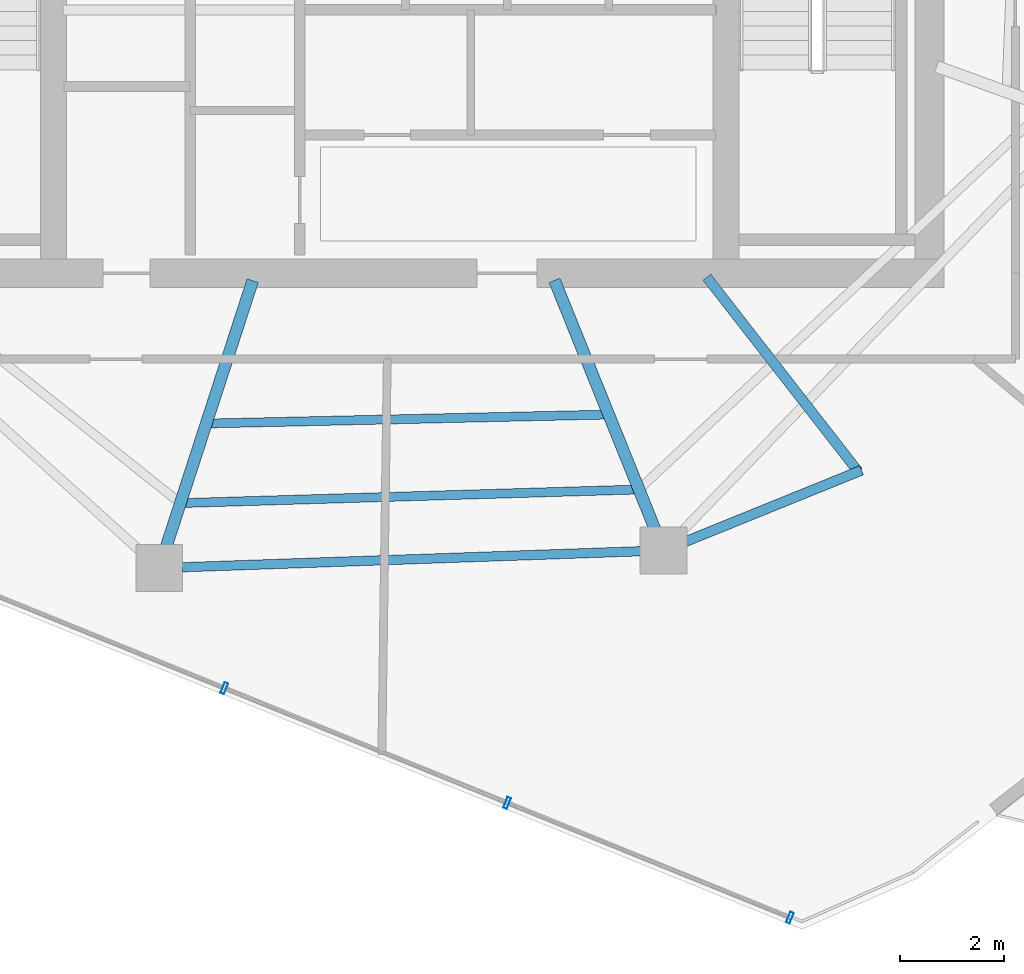
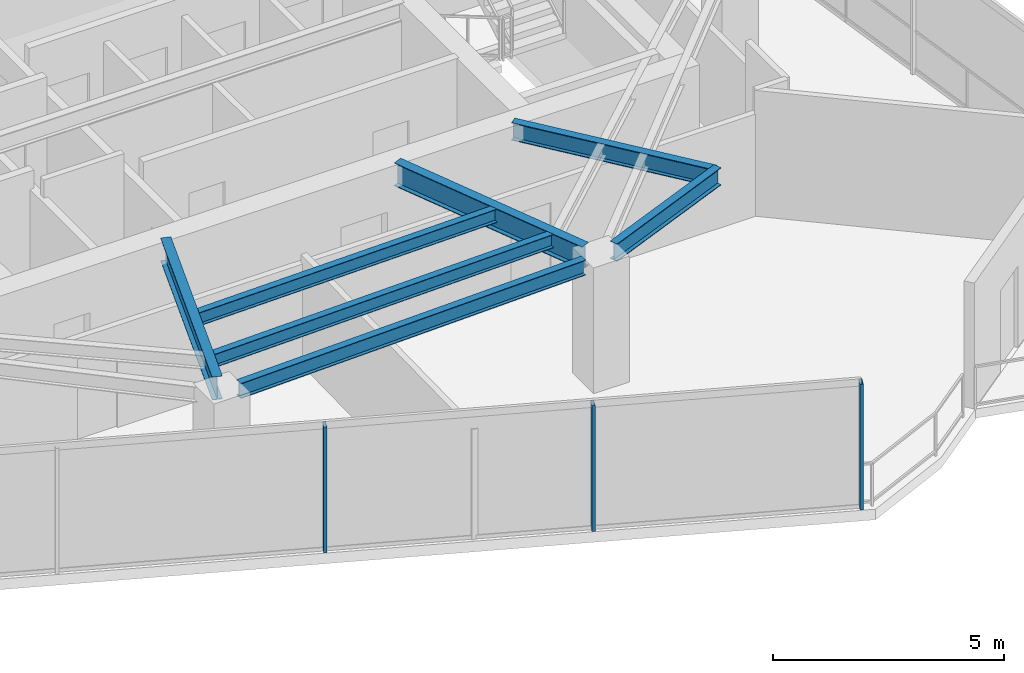
# One storey, part 4 of 19: 7 beams, 3 members, 1 element without a shape of its own.
"""IFC4 building model written with IfcOpenShell, lengths in metres."""

from ifc_helpers import new_model, si_unit, direction, frame, origin, origin_2d, place, context, subcontext, project, spatial, hollow_rectangle, i_section, extrude, material, layer, layer_set, material_profile, profile_set, type_object, element, aggregate, save


model = new_model("IFC4")

# Units and contexts
model_context = context("Model", 3, precision=1e-05, world=origin(), true_north=direction((0.0, 1.0)))
body_context = subcontext(model_context, "Body", "Model", "MODEL_VIEW")
ifc_project = project(units=[si_unit("LENGTHUNIT", "METRE"), si_unit("AREAUNIT", "SQUARE_METRE"), si_unit("VOLUMEUNIT", "CUBIC_METRE"), si_unit("PLANEANGLEUNIT", "RADIAN"), si_unit("MASSUNIT", "GRAM", prefix="KILO")], contexts=[model_context])

# Site, building, storey
site_placement = place(None, origin())
site = spatial("IfcSite", under=ifc_project, at=site_placement, CompositionType="ELEMENT")
building_placement = place(site_placement, origin())
building = spatial("IfcBuilding", under=site, at=building_placement, Name="Qarnah Convention Tower", CompositionType="ELEMENT")
storey_placement = place(building_placement, frame((0.0, 0.0, 209.39990234375)))
storey = spatial("IfcBuildingStorey", under=building, at=storey_placement, Name="L56", CompositionType="ELEMENT", Elevation=209.39990234375)

# Beams
ifc_material_1 = material(Name="Structural steel S355JR", Category="steel")
ifc_material_profile_1 = material_profile(ifc_material_1, i_section(OverallWidth=0.19189453125, OverallDepth=0.464111328125, WebThickness=0.010986328125, FlangeThickness=0.01806640625, at=origin_2d()), Name="W460X89")
ifc_profile_set_1 = profile_set([ifc_material_profile_1], Name="Structural steel S355JR")
beam_type_1 = type_object("IfcBeamType", Name="BM-CANT-W460A", PredefinedType="BEAM", material=ifc_profile_set_1)
beam_1_placement = place(storey_placement, frame((43.3310546875, 18.52099609375, 3.088134765625), z_axis=(0.614241094698, -0.789118417973, 0.0), x_axis=(0.789118417973, 0.614241094698, 0.0)))
element("IfcBeam", 1, at=beam_1_placement, inside=storey, type_object=beam_type_1, Name="L56 beam BM-L56-CNT-03-1", PredefinedType="BEAM", context=body_context, shape_type="SweptSolid", body=[
    extrude(i_section(OverallWidth=0.19189453125, OverallDepth=0.464111328125, WebThickness=0.010986328125, FlangeThickness=0.01806640625, at=origin_2d()), origin(), (0.0, 0.0, 1.0), 4.724365234375),
])
beam_2_placement = place(storey_placement, frame((46.298095703125, 14.819091796875, 3.088134765625), z_axis=(-0.926735498901, -0.375714406268, 0.0), x_axis=(0.375714406268, -0.926735498901, 0.0)))
element("IfcBeam", 2, at=beam_2_placement, inside=storey, type_object=beam_type_1, Name="L56 spandrel BM-L56-CTIE-03", PredefinedType="SPANDREL", context=body_context, shape_type="SweptSolid", body=[
    extrude(i_section(OverallWidth=0.19189453125, OverallDepth=0.464111328125, WebThickness=0.010986328125, FlangeThickness=0.01806640625, at=origin_2d()), origin(), (0.0, 0.0, 1.0), 3.656982421875),
])
ifc_material_profile_2 = material_profile(ifc_material_1, i_section(OverallWidth=0.172119140625, OverallDepth=0.35595703125, WebThickness=0.007080078125, FlangeThickness=0.011962890625, at=origin_2d()), Name="W360X51")
ifc_profile_set_2 = profile_set([ifc_material_profile_2], Name="Structural steel S355JR")
beam_type_2 = type_object("IfcBeamType", Name="BM-JST-W360", PredefinedType="JOIST", material=ifc_profile_set_2)
beam_3_placement = place(storey_placement, frame((33.321044921875, 14.19091796875, 3.14208984375), z_axis=(0.999558625738, 0.029707805593, 0.0), x_axis=(-0.029707805593, 0.999558625738, 0.0)))
element("IfcBeam", 3, at=beam_3_placement, inside=storey, type_object=beam_type_2, Name="L56 joist BM-L56-SJST-07", PredefinedType="JOIST", context=body_context, shape_type="SweptSolid", body=[
    extrude(i_section(OverallWidth=0.172119140625, OverallDepth=0.35595703125, WebThickness=0.007080078125, FlangeThickness=0.011962890625, at=origin_2d()), origin(), (0.0, 0.0, 1.0), 8.620849609375),
])
beam_4_placement = place(storey_placement, frame((33.818115234375, 15.717041015625, 3.14208984375), z_axis=(0.999751945962, 0.022272102413, 0.0), x_axis=(-0.022272102413, 0.999751945962, 0.0)))
element("IfcBeam", 4, at=beam_4_placement, inside=storey, type_object=beam_type_2, Name="L56 joist BM-L56-IJST-07", PredefinedType="JOIST", context=body_context, shape_type="SweptSolid", body=[
    extrude(i_section(OverallWidth=0.172119140625, OverallDepth=0.35595703125, WebThickness=0.007080078125, FlangeThickness=0.011962890625, at=origin_2d()), origin(), (0.0, 0.0, 1.0), 7.541748046875),
])
ifc_material_profile_3 = material_profile(ifc_material_1, i_section(OverallWidth=0.22802734375, OverallDepth=0.60791015625, WebThickness=0.010986328125, FlangeThickness=0.01708984375, at=origin_2d()), Name="W610X113")
ifc_profile_set_3 = profile_set([ifc_material_profile_3], Name="Structural steel S355JR")
beam_type_3 = type_object("IfcBeamType", Name="BM-RAD-W610B", PredefinedType="BEAM", material=ifc_profile_set_3)
beam_5_placement = place(storey_placement, frame((34.618896484375, 18.45703125, 3.01611328125), z_axis=(-0.309055218988, -0.951044095516, 0.0), x_axis=(0.951044095516, -0.309055218988, 0.0)))
element("IfcBeam", 5, at=beam_5_placement, inside=storey, type_object=beam_type_3, Name="L56 beam BM-L56-RAD-07", PredefinedType="BEAM", context=body_context, shape_type="SweptSolid", body=[
    extrude(i_section(OverallWidth=0.22802734375, OverallDepth=0.60791015625, WebThickness=0.010986328125, FlangeThickness=0.01708984375, at=origin_2d()), origin(), (0.0, 0.0, 1.0), 5.36767578125),
])
beam_6_placement = place(storey_placement, frame((40.407958984375, 18.4609375, 3.01611328125), z_axis=(0.374620360642, -0.927178292127, 0.0), x_axis=(0.927178292127, 0.374620360642, 0.0)))
element("IfcBeam", 6, at=beam_6_placement, inside=storey, type_object=beam_type_3, Name="L56 beam BM-L56-RAD-08", PredefinedType="BEAM", context=body_context, shape_type="SweptSolid", body=[
    extrude(i_section(OverallWidth=0.22802734375, OverallDepth=0.60791015625, WebThickness=0.010986328125, FlangeThickness=0.01708984375, at=origin_2d()), origin(), (0.0, 0.0, 1.0), 5.157470703125),
])
ifc_material_profile_4 = material_profile(ifc_material_1, i_section(OverallWidth=0.179931640625, OverallDepth=0.39990234375, WebThickness=0.009033203125, FlangeThickness=0.013916015625, at=origin_2d()), Name="IPE400")
ifc_profile_set_4 = profile_set([ifc_material_profile_4], Name="Structural steel S355JR")
beam_type_4 = type_object("IfcBeamType", Name="BM-SPN-IPE400", PredefinedType="SPANDREL", material=ifc_profile_set_4)
beam_7_placement = place(storey_placement, frame((33.26708984375, 12.9580078125, 3.1201171875), z_axis=(0.999391645542, 0.034876049374, 0.0), x_axis=(-0.034876049374, 0.999391645542, 0.0)))
element("IfcBeam", 7, at=beam_7_placement, inside=storey, type_object=beam_type_4, Name="L56 spandrel BM-L56-SPN-07", PredefinedType="SPANDREL", context=body_context, shape_type="SweptSolid", body=[
    extrude(i_section(OverallWidth=0.179931640625, OverallDepth=0.39990234375, WebThickness=0.009033203125, FlangeThickness=0.013916015625, at=origin_2d()), origin(), (0.0, 0.0, 1.0), 8.79931640625),
])

# Curtain wall, members
ifc_material_2 = material(Name="Tempered Low-E dark glass", Category="glass")
ifc_layer = layer(ifc_material_2, 0.174072265625)
ifc_layer_set = layer_set([ifc_layer], Name="Tempered Low-E dark glass")
curtain_wall_type = type_object("IfcCurtainWallType", Name="CWS-04", PredefinedType="NOTDEFINED", material=ifc_layer_set)
curtain_wall_placement = place(storey_placement, origin())
curtain_wall = element("IfcCurtainWall", 8, at=curtain_wall_placement, inside=storey, type_object=curtain_wall_type, Name="L56 unitised curtain wall CW-L56-F2", PredefinedType="NOTDEFINED")
ifc_material_3 = material(Name="Black anodised aluminium", Category="aluminium")
ifc_material_profile_5 = material_profile(ifc_material_3, hollow_rectangle(XDim=0.074951171875, YDim=0.219970703125, WallThickness=0.0048828125, at=origin_2d()), Name="MUL-75X220")
ifc_profile_set_5 = profile_set([ifc_material_profile_5], Name="Black anodised aluminium")
member_type = type_object("IfcMemberType", Name="MUL-T4", PredefinedType="MULLION", material=ifc_profile_set_5)
member_1_placement = place(storey_placement, frame((44.925048828125, 6.236083984375, 0.0), z_axis=(0.0, 0.0, 1.0), x_axis=(-0.926673035434, 0.375868441612, 0.0)))
member_1 = element("IfcMember", 9, at=member_1_placement, type_object=member_type, Name="CW-L56-F2 mullion 1", PredefinedType="MULLION", context=body_context, shape_type="SweptSolid", body=[
    extrude(hollow_rectangle(XDim=0.074951171875, YDim=0.219970703125, WallThickness=0.0048828125, at=origin_2d()), origin(), (0.0, 0.0, 1.0), 3.320068359375),
])
member_2_placement = place(storey_placement, frame((39.49951171875, 8.4365234375, 0.0), z_axis=(0.0, 0.0, 1.0), x_axis=(-0.926673035434, 0.375868441612, 0.0)))
member_2 = element("IfcMember", 10, at=member_2_placement, type_object=member_type, Name="CW-L56-F2 mullion 2", PredefinedType="MULLION", context=body_context, shape_type="SweptSolid", body=[
    extrude(hollow_rectangle(XDim=0.074951171875, YDim=0.219970703125, WallThickness=0.0048828125, at=origin_2d()), origin(), (0.0, 0.0, 1.0), 3.320068359375),
])
member_3_placement = place(storey_placement, frame((34.07421875, 10.63720703125, 0.0), z_axis=(0.0, 0.0, 1.0), x_axis=(-0.926673035434, 0.375868441612, 0.0)))
member_3 = element("IfcMember", 11, at=member_3_placement, type_object=member_type, Name="CW-L56-F2 mullion 3", PredefinedType="MULLION", context=body_context, shape_type="SweptSolid", body=[
    extrude(hollow_rectangle(XDim=0.074951171875, YDim=0.219970703125, WallThickness=0.0048828125, at=origin_2d()), origin(), (0.0, 0.0, 1.0), 3.320068359375),
])
aggregate(curtain_wall, [member_1, member_2, member_3])

save(model, "model.ifc")
